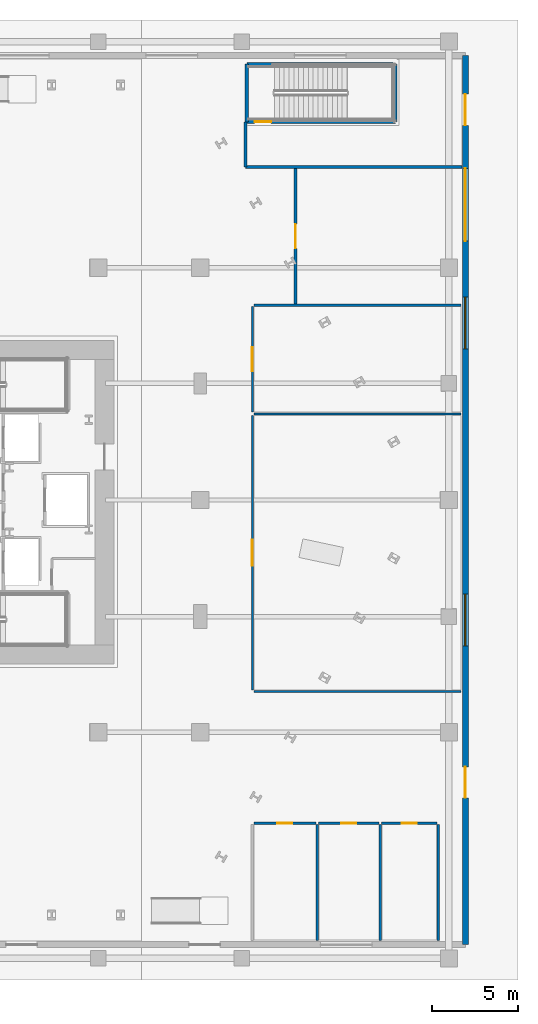
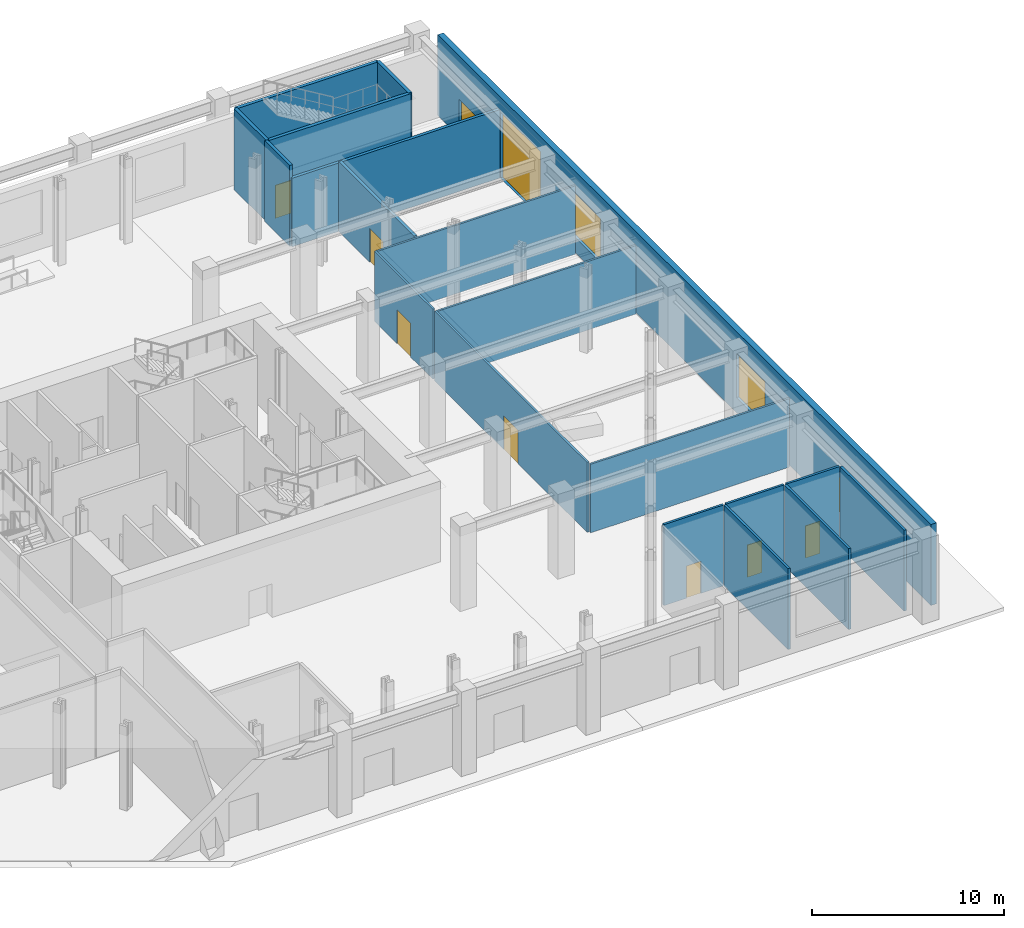
# One storey, part 7 of 18: 19 walls, 10 doors, 2 windows, 12 openings.
"""IFC4 building model written with IfcOpenShell, lengths in metres."""

import ifcopenshell
import ifcopenshell.guid

model = None  # the IFC model being written
_history = None  # IfcOwnerHistory: only IFC2X3 demands one
_inside = {}  # id of a spatial element -> (the spatial element, [elements in it])
_under = {}  # id of a project, library or spatial element -> (it, [spatial elements below it])
_declared = {}  # id of a project -> (the project, [libraries it declares])
_typed = {}  # id of a type object -> (the type object, [elements of that type])
_made_of = {}  # id of a material, layer set ... -> (it, [elements and type objects made of it])


def new_model(schema):
    """Start an empty IFC model of exactly this schema.

    Asked for "IFC4X3", IfcOpenShell would pick the latest addendum, in which some entities
    have other attributes; the version numbers below select the first issue.
    IFC2X3 requires an IfcOwnerHistory on every rooted entity: one is made here for all.
    """
    global model, _history
    if schema == "IFC4X3":
        model = ifcopenshell.file(schema_version=(4, 3, 0, 0))
    else:
        model = ifcopenshell.file(schema=schema)
    _inside.clear()
    _under.clear()
    _declared.clear()
    _typed.clear()
    _made_of.clear()
    _history = None
    if model.schema == "IFC2X3":
        org = make("IfcOrganization", Name="unknown")
        user = make(
            "IfcPersonAndOrganization",
            ThePerson=make("IfcPerson", FamilyName="unknown"),
            TheOrganization=org,
        )
        app = make(
            "IfcApplication",
            ApplicationDeveloper=org,
            Version="unknown",
            ApplicationFullName="unknown",
            ApplicationIdentifier="unknown",
        )
        _history = make(
            "IfcOwnerHistory",
            OwningUser=user,
            OwningApplication=app,
            ChangeAction="ADDED",
            CreationDate=0,
        )
    return model


def make(cls, **values):
    """One entity of the class cls with the attributes given. An attribute that is None is left unset."""
    return model.create_entity(
        cls, **{name: value for name, value in values.items() if value is not None}
    )


def rooted(cls, **values):
    """An entity with a GlobalId (a new one), such as an element, a storey or a relation."""
    return make(cls, GlobalId=ifcopenshell.guid.new(), OwnerHistory=_history, **values)


def si_unit(unit_type, name, prefix=None):
    """IfcSIUnit, for example si_unit("LENGTHUNIT", "METRE", prefix="MILLI")."""
    return make("IfcSIUnit", UnitType=unit_type, Prefix=prefix, Name=name)


def assignment(units):
    """IfcUnitAssignment: the units of a project."""
    return None if units is None else make("IfcUnitAssignment", Units=units)


def point(xyz):
    """IfcCartesianPoint."""
    return None if xyz is None else make("IfcCartesianPoint", Coordinates=xyz)


def direction(xyz):
    """IfcDirection."""
    return None if xyz is None else make("IfcDirection", DirectionRatios=xyz)


def frame(location, z_axis=None, x_axis=None):
    """IfcAxis2Placement3D, a coordinate frame: its origin and axes. An axis left out is left unset."""
    return make(
        "IfcAxis2Placement3D",
        Location=point(location),
        Axis=direction(z_axis),
        RefDirection=direction(x_axis),
    )


def frame_2d(location, x_axis=None):
    """IfcAxis2Placement2D, a coordinate frame in the plane: its origin and x axis."""
    return make(
        "IfcAxis2Placement2D", Location=point(location), RefDirection=direction(x_axis)
    )


def origin():
    """The frame at (0, 0, 0) with its axes left unset."""
    return frame((0.0, 0.0, 0.0))


def place(relative_to, where):
    """IfcLocalPlacement: puts the frame where relative to a parent placement (None: the world)."""
    return make(
        "IfcLocalPlacement", PlacementRelTo=relative_to, RelativePlacement=where
    )


def context(
    kind, dimensions, precision=None, world=None, true_north=None, identifier=None
):
    """IfcGeometricRepresentationContext, for example the 3D "Model" context."""
    return make(
        "IfcGeometricRepresentationContext",
        ContextIdentifier=identifier,
        ContextType=kind,
        CoordinateSpaceDimension=dimensions,
        Precision=precision,
        WorldCoordinateSystem=world,
        TrueNorth=true_north,
    )


def subcontext(parent, identifier, kind, view, scale=None):
    """IfcGeometricRepresentationSubContext, for example "Body" below "Model"."""
    return make(
        "IfcGeometricRepresentationSubContext",
        ContextIdentifier=identifier,
        ContextType=kind,
        ParentContext=parent,
        TargetScale=scale,
        TargetView=view,
    )


def project(units=None, contexts=None):
    """IfcProject with its units and contexts."""
    return rooted(
        "IfcProject",
        Name="project",
        RepresentationContexts=contexts,
        UnitsInContext=assignment(units),
    )


def spatial(cls, under=None, at=None, **own):
    """A site, building, storey or space (cls), placed at a placement, below another one or the project."""
    s = rooted(cls, ObjectPlacement=at, **own)
    if under is not None:
        _under.setdefault(under.id(), (under, []))[1].append(s)
    return s


def profile(cls, at=None, kind="AREA", **sizes):
    """A parametric profile (cls). Its sizes go by their IFC names, for example OverallWidth=200.0."""
    return make(cls, ProfileType=kind, Position=at, **sizes)


def rectangle(**sizes):
    """IfcRectangleProfileDef."""
    return profile("IfcRectangleProfileDef", **sizes)


def extrude(swept, where, along, depth):
    """IfcExtrudedAreaSolid: the profile swept, set in the frame where, extruded along a direction by depth."""
    return make(
        "IfcExtrudedAreaSolid",
        SweptArea=swept,
        Position=where,
        ExtrudedDirection=direction(along),
        Depth=depth,
    )


def shape(context_of_items, identifier, shape_type, items):
    """IfcShapeRepresentation: the items that make up one representation, for example the "Body"."""
    return make(
        "IfcShapeRepresentation",
        ContextOfItems=context_of_items,
        RepresentationIdentifier=identifier,
        RepresentationType=shape_type,
        Items=items,
    )


def material(Name=None, Category=None):
    """IfcMaterial."""
    return make("IfcMaterial", Name=Name, Category=Category)


def layer(
    of_material, thickness, ventilated=None, Name=None, Category=None, Priority=None
):
    """IfcMaterialLayer: one layer of a wall or slab, of a material (None: an air gap)."""
    return make(
        "IfcMaterialLayer",
        Material=of_material,
        LayerThickness=thickness,
        IsVentilated=ventilated,
        Name=Name,
        Category=Category,
        Priority=Priority,
    )


def layer_set(layers, Name=None):
    """IfcMaterialLayerSet."""
    return make("IfcMaterialLayerSet", MaterialLayers=layers, LayerSetName=Name)


def made_of(thing, what):
    """Note that an element or type object is made of a material, layer set ...; save() writes the relation."""
    if what is not None:
        _made_of.setdefault(what.id(), (what, []))[1].append(thing)
    return thing


def type_object(cls, material=None, **own):
    """A type object (cls), such as IfcWallType, which elements share."""
    return made_of(rooted(cls, **own), material)


def element(
    cls,
    number,
    at=None,
    inside=None,
    cuts=None,
    type_object=None,
    material=None,
    context=None,
    identifier="Body",
    shape_type=None,
    held_by="IfcProductDefinitionShape",
    body=None,
    shapes=None,
    **own,
):
    """One element of the class cls, such as IfcWall. Its Tag is "e" and its number.

    at: its placement. inside: the storey or other place that contains it. cuts: it is an
    opening in that element (IfcRelVoidsElement). A single representation is given by context,
    identifier, shape_type and body (its items); several are given by shapes. held_by: the class
    of the entity that holds the representations. save() writes the other relations.
    """
    e = rooted(cls, Tag="e%d" % number, ObjectPlacement=at, **own)
    if body is not None:
        shapes = [shape(context, identifier, shape_type, body)]
    if shapes is not None:
        e.Representation = make(held_by, Representations=shapes)
    if inside is not None:
        _inside.setdefault(inside.id(), (inside, []))[1].append(e)
    if cuts is not None:
        rooted(
            "IfcRelVoidsElement", RelatingBuildingElement=cuts, RelatedOpeningElement=e
        )
    if type_object is not None:
        _typed.setdefault(type_object.id(), (type_object, []))[1].append(e)
    return made_of(e, material)


def fill(opening, filler):
    """IfcRelFillsElement: the door or window that sits in an opening."""
    return rooted(
        "IfcRelFillsElement",
        RelatingOpeningElement=opening,
        RelatedBuildingElement=filler,
    )


def aggregate(whole, parts):
    """IfcRelAggregates: a whole, such as a stair, and the parts it consists of."""
    return rooted("IfcRelAggregates", RelatingObject=whole, RelatedObjects=parts)


def save(model, path):
    """Write the relations noted so far, then the file.

    IfcRelAggregates (storeys below a building ...), IfcRelContainedInSpatialStructure (elements
    in a storey), IfcRelDefinesByType, IfcRelAssociatesMaterial and IfcRelDeclares: one each for
    every whole, place, type object, material and project.
    """
    for whole, parts in _under.values():
        aggregate(whole, parts)
    for where, things in _inside.values():
        rooted(
            "IfcRelContainedInSpatialStructure",
            RelatedElements=things,
            RelatingStructure=where,
        )
    for kind, things in _typed.values():
        rooted("IfcRelDefinesByType", RelatedObjects=things, RelatingType=kind)
    for what, things in _made_of.values():
        rooted("IfcRelAssociatesMaterial", RelatedObjects=things, RelatingMaterial=what)
    for by, libraries in _declared.values():
        rooted("IfcRelDeclares", RelatingContext=by, RelatedDefinitions=libraries)
    model.write(path)


model = new_model("IFC4")

# Units and contexts
model_context = context("Model", 3, precision=1e-05, world=origin(), true_north=direction((0.0, 1.0)))
body_context = subcontext(model_context, "Body", "Model", "MODEL_VIEW")
ifc_project = project(units=[si_unit("LENGTHUNIT", "METRE"), si_unit("AREAUNIT", "SQUARE_METRE"), si_unit("VOLUMEUNIT", "CUBIC_METRE"), si_unit("PLANEANGLEUNIT", "RADIAN"), si_unit("MASSUNIT", "GRAM", prefix="KILO")], contexts=[model_context])

# Site, building, storey
site_placement = place(None, origin())
site = spatial("IfcSite", under=ifc_project, at=site_placement, CompositionType="ELEMENT")
building_placement = place(site_placement, origin())
building = spatial("IfcBuilding", under=site, at=building_placement, Name="Valkerne Bourse Tower", CompositionType="ELEMENT")
storey_placement = place(building_placement, origin())
storey = spatial("IfcBuildingStorey", under=building, at=storey_placement, Name="L00", CompositionType="ELEMENT", Elevation=0.0)

# Walls
ifc_material_1 = material(Name="Gypsum Board Steel-Stud Partition", Category="steel")
ifc_layer_1 = layer(ifc_material_1, 0.117919921875)
ifc_layer_set_1 = layer_set([ifc_layer_1], Name="Gypsum Board Steel-Stud Partition")
wall_type_1 = type_object("IfcWallType", Name="W-CORR-140", PredefinedType="PARTITIONING", material=ifc_layer_set_1)
for number, where, z_axis, x_axis, name in (
    (1, (64.5, 15.919921875, 0.0), (0.0, 0.0, 1.0), (1.0, 0.0, 0.0), "L00 Clearing Bank Retail Office Branch Wall"),
    (2, (64.5, 31.97998046875, 0.0), (0.0, 0.0, 1.0), (1.0, 0.0, 0.0), "L00 Clearing Bank Retail Office Branch Wall"),
):
    element("IfcWall", number, at=place(storey_placement, frame(where, z_axis=z_axis, x_axis=x_axis)), inside=storey, type_object=wall_type_1, Name=name, PredefinedType="PARTITIONING", context=body_context, shape_type="SweptSolid", body=[
        extrude(rectangle(XDim=12.0, YDim=0.117919921875, at=frame_2d((6.0, 0.0))), origin(), (0.0, 0.0, 1.0), 4.364990234375),
    ])

# Wall, opening, door
wall_1_placement = place(storey_placement, frame((64.419921875, 16.0, 0.0), z_axis=(0.0, 0.0, 1.0), x_axis=(0.0, 1.0, 0.0)))
wall_1 = element("IfcWall", 3, at=wall_1_placement, inside=storey, type_object=wall_type_1, Name="L00 Clearing Bank Retail Office Branch Wall", PredefinedType="PARTITIONING", context=body_context, shape_type="SweptSolid", body=[
    extrude(rectangle(XDim=15.89990234375, YDim=0.117919921875, at=frame_2d((7.949951171875, 0.0))), origin(), (0.0, 0.0, 1.0), 4.45654296875),
])
opening_1_placement = place(wall_1_placement, frame((7.199951171875, 0.0, 0.0)))
opening_1 = element("IfcOpeningElement", 4, at=opening_1_placement, cuts=wall_1, Name="Opening D-CR-1500", PredefinedType="OPENING", context=body_context, shape_type="SweptSolid", body=[
    extrude(rectangle(XDim=1.5, YDim=2.14990234375, at=frame_2d((0.75, 1.074951171875))), frame((0.0, 0.06884765625, 0.0), z_axis=(0.0, -1.0, 0.0), x_axis=(1.0, 0.0, 0.0)), (0.0, 0.0, 1.0), 0.137939453125),
])
ifc_material_2 = material(Name="Galvanised Painted Steel", Category="steel")
door_type_1 = type_object("IfcDoorType", Name="DR-CORR-1500", OperationType="DOUBLE_DOOR_SINGLE_SWING", PredefinedType="DOOR", material=ifc_material_2)
door_1_placement = place(opening_1_placement, origin())
door_1 = element("IfcDoor", 5, at=door_1_placement, inside=storey, type_object=door_type_1, Name="L00 Clearing Bank Branch Door", OperationType="DOUBLE_DOOR_SINGLE_SWING", OverallHeight=2.14990234375, OverallWidth=1.5, PredefinedType="DOOR", context=body_context, shape_type="SweptSolid", body=[
    extrude(rectangle(XDim=1.5, YDim=2.14990234375, at=frame_2d((0.75, 1.074951171875))), frame((0.0, 0.02490234375, 0.0), z_axis=(0.0, -1.0, 0.0), x_axis=(1.0, 0.0, 0.0)), (0.0, 0.0, 1.0), 0.050048828125),
])
fill(opening_1, door_1)

# Wall
wall_2_placement = place(storey_placement, frame((64.5, 38.280029296875, 0.0), z_axis=(0.0, 0.0, 1.0), x_axis=(1.0, 0.0, 0.0)))
element("IfcWall", 6, at=wall_2_placement, inside=storey, type_object=wall_type_1, Name="L00 Refuse & Compactor Store Room Wall", PredefinedType="PARTITIONING", context=body_context, shape_type="SweptSolid", body=[
    extrude(rectangle(XDim=12.0, YDim=0.117919921875, at=frame_2d((6.0, 0.0))), origin(), (0.0, 0.0, 1.0), 4.364990234375),
])

# Wall, opening, door
wall_3_placement = place(storey_placement, frame((64.419921875, 32.10009765625, 0.0), z_axis=(0.0, 0.0, 1.0), x_axis=(0.0, 1.0, 0.0)))
wall_3 = element("IfcWall", 7, at=wall_3_placement, inside=storey, type_object=wall_type_1, Name="L00 Refuse & Compactor Store Room Wall", PredefinedType="PARTITIONING", context=body_context, shape_type="SweptSolid", body=[
    extrude(rectangle(XDim=6.099853515625, YDim=0.117919921875, at=frame_2d((3.0498046875, 0.0))), origin(), (0.0, 0.0, 1.0), 4.45654296875),
])
opening_2_placement = place(wall_3_placement, frame((2.35009765625, 0.0, 0.0)))
opening_2 = element("IfcOpeningElement", 8, at=opening_2_placement, cuts=wall_3, Name="Opening D-PL-1400", PredefinedType="OPENING", context=body_context, shape_type="SweptSolid", body=[
    extrude(rectangle(XDim=1.39990234375, YDim=2.14990234375, at=frame_2d((0.699951171875, 1.074951171875))), frame((0.0, 0.06884765625, 0.0), z_axis=(0.0, -1.0, 0.0), x_axis=(1.0, 0.0, 0.0)), (0.0, 0.0, 1.0), 0.137939453125),
])
door_type_2 = type_object("IfcDoorType", Name="DR-PLT-1400", OperationType="DOUBLE_DOOR_SINGLE_SWING", PredefinedType="DOOR", material=ifc_material_2)
door_2_placement = place(opening_2_placement, origin())
door_2 = element("IfcDoor", 9, at=door_2_placement, inside=storey, type_object=door_type_2, Name="L00 Refuse Room Door", OperationType="DOUBLE_DOOR_SINGLE_SWING", OverallHeight=2.14990234375, OverallWidth=1.39990234375, PredefinedType="DOOR", context=body_context, shape_type="SweptSolid", body=[
    extrude(rectangle(XDim=1.39990234375, YDim=2.14990234375, at=frame_2d((0.699951171875, 1.074951171875))), frame((0.0, 0.02490234375, 0.0), z_axis=(0.0, -1.0, 0.0), x_axis=(1.0, 0.0, 0.0)), (0.0, 0.0, 1.0), 0.050048828125),
])
fill(opening_2, door_2)

# Wall, openings, doors, windows
ifc_material_3 = material(Name="Indiana Limestone Cladding", Category="masonry")
ifc_layer_2 = layer(ifc_material_3, 0.35009765625)
ifc_layer_set_2 = layer_set([ifc_layer_2], Name="Indiana Limestone Cladding")
wall_type_2 = type_object("IfcWallType", Name="W-EXT-LIMESTONE-350", PredefinedType="STANDARD", material=ifc_layer_set_2)
wall_4_placement = place(storey_placement, frame((76.75, 52.75, 0.0), z_axis=(0.0, 0.0, 1.0), x_axis=(0.0, -1.0, 0.0)))
wall_4 = element("IfcWall", 10, at=wall_4_placement, inside=storey, type_object=wall_type_2, Name="L00 Podium Exterior Wall EAST", PredefinedType="STANDARD", context=body_context, shape_type="SweptSolid", body=[
    extrude(rectangle(XDim=51.5, YDim=0.35009765625, at=frame_2d((25.75, 0.0))), origin(), (0.0, 0.0, 1.0), 5.159912109375),
])
opening_3_placement = place(wall_4_placement, frame((6.550048828125, 0.0, 0.0)))
opening_3 = element("IfcOpeningElement", 11, at=opening_3_placement, cuts=wall_4, Name="Opening VG-4200", PredefinedType="OPENING", context=body_context, shape_type="SweptSolid", body=[
    extrude(rectangle(XDim=4.199951171875, YDim=4.199951171875, at=frame_2d((2.10009765625, 2.10009765625))), frame((0.0, 0.18505859375, 0.0), z_axis=(0.0, -1.0, 0.0), x_axis=(1.0, 0.0, 0.0)), (0.0, 0.0, 1.0), 0.3701171875),
])
opening_4_placement = place(wall_4_placement, frame((41.199951171875, 0.0, 0.0)))
opening_4 = element("IfcOpeningElement", 12, at=opening_4_placement, cuts=wall_4, Name="Opening EX-1800", PredefinedType="OPENING", context=body_context, shape_type="SweptSolid", body=[
    extrude(rectangle(XDim=1.800048828125, YDim=2.39990234375, at=frame_2d((0.89990234375, 1.199951171875))), frame((0.0, 0.18505859375, 0.0), z_axis=(0.0, -1.0, 0.0), x_axis=(1.0, 0.0, 0.0)), (0.0, 0.0, 1.0), 0.3701171875),
])
opening_5_placement = place(wall_4_placement, frame((2.25, 0.0, 0.0)))
opening_5 = element("IfcOpeningElement", 13, at=opening_5_placement, cuts=wall_4, Name="Opening EX-1800", PredefinedType="OPENING", context=body_context, shape_type="SweptSolid", body=[
    extrude(rectangle(XDim=1.800048828125, YDim=2.39990234375, at=frame_2d((0.89990234375, 1.199951171875))), frame((0.0, 0.18505859375, 0.0), z_axis=(0.0, -1.0, 0.0), x_axis=(1.0, 0.0, 0.0)), (0.0, 0.0, 1.0), 0.3701171875),
])
opening_6_placement = place(wall_4_placement, frame((14.0, 0.0, 0.949951171875)))
opening_6 = element("IfcOpeningElement", 14, at=opening_6_placement, cuts=wall_4, Name="Opening WN-01", PredefinedType="OPENING", context=body_context, shape_type="SweptSolid", body=[
    extrude(rectangle(XDim=3.0, YDim=2.800048828125, at=frame_2d((1.5, 1.39990234375))), frame((0.0, 0.18505859375, 0.0), z_axis=(0.0, -1.0, 0.0), x_axis=(1.0, 0.0, 0.0)), (0.0, 0.0, 1.0), 0.3701171875),
])
opening_7_placement = place(wall_4_placement, frame((31.199951171875, 0.0, 0.949951171875)))
opening_7 = element("IfcOpeningElement", 15, at=opening_7_placement, cuts=wall_4, Name="Opening WN-01", PredefinedType="OPENING", context=body_context, shape_type="SweptSolid", body=[
    extrude(rectangle(XDim=3.0, YDim=2.800048828125, at=frame_2d((1.5, 1.39990234375))), frame((0.0, 0.18505859375, 0.0), z_axis=(0.0, -1.0, 0.0), x_axis=(1.0, 0.0, 0.0)), (0.0, 0.0, 1.0), 0.3701171875),
])
ifc_material_4 = material(Name="Bronze Anodised Aluminium AA 6063-T6", Category="aluminium")
door_type_3 = type_object("IfcDoorType", Name="DR-EXT-EXIT-1800", OperationType="DOUBLE_SWING_LEFT", PredefinedType="DOOR", material=ifc_material_4)
door_3_placement = place(opening_4_placement, origin())
door_3 = element("IfcDoor", 16, at=door_3_placement, inside=storey, type_object=door_type_3, Name="East Clearing Concourse Street Exit Door EX-07", OperationType="DOUBLE_SWING_LEFT", OverallHeight=2.39990234375, OverallWidth=1.800048828125, PredefinedType="DOOR", context=body_context, shape_type="SweptSolid", body=[
    extrude(rectangle(XDim=1.800048828125, YDim=2.39990234375, at=frame_2d((0.89990234375, 1.199951171875))), frame((0.0, 0.02490234375, 0.0), z_axis=(0.0, -1.0, 0.0), x_axis=(1.0, 0.0, 0.0)), (0.0, 0.0, 1.0), 0.050048828125),
])
fill(opening_4, door_3)
door_4_placement = place(opening_5_placement, origin())
door_4 = element("IfcDoor", 17, at=door_4_placement, inside=storey, type_object=door_type_3, Name="ST-P2 Protected Exit Discharge Street Door EX-08", OperationType="DOUBLE_SWING_LEFT", OverallHeight=2.39990234375, OverallWidth=1.800048828125, PredefinedType="DOOR", context=body_context, shape_type="SweptSolid", body=[
    extrude(rectangle(XDim=1.800048828125, YDim=2.39990234375, at=frame_2d((0.89990234375, 1.199951171875))), frame((0.0, 0.02490234375, 0.0), z_axis=(0.0, -1.0, 0.0), x_axis=(1.0, 0.0, 0.0)), (0.0, 0.0, 1.0), 0.050048828125),
])
fill(opening_5, door_4)
door_type_4 = type_object("IfcDoorType", Name="DR-VEH-DOCK-4200", OperationType="ROLLINGUP", PredefinedType="GATE", material=ifc_material_2)
door_5_placement = place(opening_3_placement, origin())
door_5 = element("IfcDoor", 18, at=door_5_placement, inside=storey, type_object=door_type_4, Name="Loading Dock Truck Shutter Gate VG-DOCK-01", OperationType="ROLLINGUP", OverallHeight=4.199951171875, OverallWidth=4.199951171875, PredefinedType="GATE", context=body_context, shape_type="SweptSolid", body=[
    extrude(rectangle(XDim=4.199951171875, YDim=4.199951171875, at=frame_2d((2.10009765625, 2.10009765625))), frame((0.0, 0.02490234375, 0.0), z_axis=(0.0, -1.0, 0.0), x_axis=(1.0, 0.0, 0.0)), (0.0, 0.0, 1.0), 0.050048828125),
])
fill(opening_3, door_5)
ifc_material_5 = material(Name="Glass IGU Low-E Double Glazed", Category="glass")
window_type = type_object("IfcWindowType", Name="WIN-POD-3000X2800", PartitioningType="SINGLE_PANEL", PredefinedType="WINDOW", material=ifc_material_5)
window_1_placement = place(opening_6_placement, origin())
window_1 = element("IfcWindow", 19, at=window_1_placement, inside=storey, type_object=window_type, Name="L00 Podium Low-E Window 09", OverallHeight=2.800048828125, OverallWidth=3.0, PartitioningType="SINGLE_PANEL", PredefinedType="WINDOW", context=body_context, shape_type="SweptSolid", body=[
    extrude(rectangle(XDim=3.0, YDim=2.800048828125, at=frame_2d((1.5, 1.39990234375))), frame((0.0, 0.030029296875, 0.0), z_axis=(0.0, -1.0, 0.0), x_axis=(1.0, 0.0, 0.0)), (0.0, 0.0, 1.0), 0.06005859375),
])
fill(opening_6, window_1)
window_2_placement = place(opening_7_placement, origin())
window_2 = element("IfcWindow", 20, at=window_2_placement, inside=storey, type_object=window_type, Name="L00 Podium Low-E Window 10", OverallHeight=2.800048828125, OverallWidth=3.0, PartitioningType="SINGLE_PANEL", PredefinedType="WINDOW", context=body_context, shape_type="SweptSolid", body=[
    extrude(rectangle(XDim=3.0, YDim=2.800048828125, at=frame_2d((1.5, 1.39990234375))), frame((0.0, 0.030029296875, 0.0), z_axis=(0.0, -1.0, 0.0), x_axis=(1.0, 0.0, 0.0)), (0.0, 0.0, 1.0), 0.06005859375),
])
fill(opening_7, window_2)

# Walls
ifc_material_6 = material(Name="Gypsum Fire-Rated Shaftwall", Category="gypsum")
ifc_layer_3 = layer(ifc_material_6, 0.179931640625)
ifc_layer_set_3 = layer_set([ifc_layer_3], Name="Gypsum Fire-Rated Shaftwall")
wall_type_3 = type_object("IfcWallType", Name="W-FSAE-180", PredefinedType="PARTITIONING", material=ifc_layer_set_3)
wall_5_placement = place(storey_placement, frame((64.02001953125, 46.2900390625, 0.0), z_axis=(0.0, 0.0, 1.0), x_axis=(1.0, 0.0, 0.0)))
element("IfcWall", 21, at=wall_5_placement, inside=storey, type_object=wall_type_3, Name="L00 ST-P2 Exit Passageway South Fire Wall", PredefinedType="PARTITIONING", context=body_context, shape_type="SweptSolid", body=[
    extrude(rectangle(XDim=12.530029296875, YDim=0.179931640625, at=frame_2d((6.26513671875, 0.0))), origin(), (0.0, 0.0, 1.0), 4.364990234375),
])
wall_6_placement = place(storey_placement, frame((64.02001953125, 46.2900390625, 0.0), z_axis=(0.0, 0.0, 1.0), x_axis=(0.0, 1.0, 0.0)))
element("IfcWall", 22, at=wall_6_placement, inside=storey, type_object=wall_type_3, Name="L00 ST-P2 Exit Passageway West Fire Wall", PredefinedType="PARTITIONING", context=body_context, shape_type="SweptSolid", body=[
    extrude(rectangle(XDim=2.60986328125, YDim=0.179931640625, at=frame_2d((1.304931640625, 0.0))), origin(), (0.0, 0.0, 1.0), 5.159912109375),
])

# Wall, opening, door
wall_7_placement = place(storey_placement, frame((66.919921875, 38.360107421875, 0.0), z_axis=(0.0, 0.0, 1.0), x_axis=(0.0, 1.0, 0.0)))
wall_7 = element("IfcWall", 23, at=wall_7_placement, inside=storey, type_object=wall_type_3, Name="L00 Enclosed Truck Loading & Servicing Dock Wall", PredefinedType="PARTITIONING", context=body_context, shape_type="SweptSolid", body=[
    extrude(rectangle(XDim=7.83984375, YDim=0.179931640625, at=frame_2d((3.919921875, 0.0))), origin(), (0.0, 0.0, 1.0), 4.45654296875),
])
opening_8_placement = place(wall_7_placement, frame((3.219970703125, 0.0, 0.0)))
opening_8 = element("IfcOpeningElement", 24, at=opening_8_placement, cuts=wall_7, Name="Opening D-PL-1400", PredefinedType="OPENING", context=body_context, shape_type="SweptSolid", body=[
    extrude(rectangle(XDim=1.39990234375, YDim=2.14990234375, at=frame_2d((0.699951171875, 1.074951171875))), frame((0.0, 0.099853515625, 0.0), z_axis=(0.0, -1.0, 0.0), x_axis=(1.0, 0.0, 0.0)), (0.0, 0.0, 1.0), 0.199951171875),
])
door_6_placement = place(opening_8_placement, origin())
door_6 = element("IfcDoor", 25, at=door_6_placement, inside=storey, type_object=door_type_2, Name="L00 Loading Dock Vestibule Door", OperationType="DOUBLE_DOOR_SINGLE_SWING", OverallHeight=2.14990234375, OverallWidth=1.39990234375, PredefinedType="DOOR", context=body_context, shape_type="SweptSolid", body=[
    extrude(rectangle(XDim=1.39990234375, YDim=2.14990234375, at=frame_2d((0.699951171875, 1.074951171875))), frame((0.0, 0.02490234375, 0.0), z_axis=(0.0, -1.0, 0.0), x_axis=(1.0, 0.0, 0.0)), (0.0, 0.0, 1.0), 0.050048828125),
])
fill(opening_8, door_6)

ifc_material_7 = material(Name="Concrete C40/50", Category="concrete")
ifc_layer_4 = layer(ifc_material_7, 0.199951171875)
ifc_layer_set_4 = layer_set([ifc_layer_4], Name="Concrete C40/50")
wall_type_4 = type_object("IfcWallType", Name="W-SHF-200", PredefinedType="SHEAR", material=ifc_layer_set_4)
wall_8_placement = place(storey_placement, frame((64.10009765625, 48.89990234375, 0.0), z_axis=(0.0, 0.0, 1.0), x_axis=(1.0, 0.0, 0.0)))
wall_8 = element("IfcWall", 26, at=wall_8_placement, inside=storey, type_object=wall_type_4, Name="L00 Exit Stair ST-P2 Structural South Wall", PredefinedType="SHEAR", context=body_context, shape_type="SweptSolid", body=[
    extrude(rectangle(XDim=8.599853515625, YDim=0.199951171875, at=frame_2d((4.2998046875, 0.0))), origin(), (0.0, 0.0, 1.0), 5.159912109375),
])
opening_9_placement = place(wall_8_placement, frame((0.449951171875, 0.0, 0.0)))
opening_9 = element("IfcOpeningElement", 27, at=opening_9_placement, cuts=wall_8, Name="Opening D-ST-950", PredefinedType="OPENING", context=body_context, shape_type="SweptSolid", body=[
    extrude(rectangle(XDim=0.949951171875, YDim=2.10009765625, at=frame_2d((0.47509765625, 1.050048828125))), frame((0.0, 0.10986328125, 0.0), z_axis=(0.0, -1.0, 0.0), x_axis=(1.0, 0.0, 0.0)), (0.0, 0.0, 1.0), 0.219970703125),
])
door_type_5 = type_object("IfcDoorType", Name="DR-STAIR-950", OperationType="NOTDEFINED", PredefinedType="DOOR", material=ifc_material_2)
door_7_placement = place(opening_9_placement, origin())
door_7 = element("IfcDoor", 28, at=door_7_placement, inside=storey, type_object=door_type_5, Name="L00 Exit Stair ST-P2 Door", OperationType="SINGLE_SWING_LEFT", OverallHeight=2.10009765625, OverallWidth=0.949951171875, PredefinedType="DOOR", context=body_context, shape_type="SweptSolid", body=[
    extrude(rectangle(XDim=0.949951171875, YDim=2.10009765625, at=frame_2d((0.47509765625, 1.050048828125))), frame((0.0, 0.02490234375, 0.0), z_axis=(0.0, -1.0, 0.0), x_axis=(1.0, 0.0, 0.0)), (0.0, 0.0, 1.0), 0.050048828125),
])
fill(opening_9, door_7)

# Walls
wall_9_placement = place(storey_placement, frame((64.10009765625, 52.25, 0.0), z_axis=(0.0, 0.0, 1.0), x_axis=(1.0, 0.0, 0.0)))
element("IfcWall", 29, at=wall_9_placement, inside=storey, type_object=wall_type_4, Name="L00 Exit Stair ST-P2 Structural North Wall", PredefinedType="SHEAR", context=body_context, shape_type="SweptSolid", body=[
    extrude(rectangle(XDim=8.599853515625, YDim=0.199951171875, at=frame_2d((4.2998046875, 0.0))), origin(), (0.0, 0.0, 1.0), 5.159912109375),
])
for number, where, z_axis, x_axis, name in (
    (30, (64.10009765625, 48.89990234375, 0.0), (0.0, 0.0, 1.0), (0.0, 1.0, 0.0), "L00 Exit Stair ST-P2 Structural West Wall"),
    (31, (72.699951171875, 48.89990234375, 0.0), (0.0, 0.0, 1.0), (0.0, 1.0, 0.0), "L00 Exit Stair ST-P2 Structural East Wall"),
):
    element("IfcWall", number, at=place(storey_placement, frame(where, z_axis=z_axis, x_axis=x_axis)), inside=storey, type_object=wall_type_4, Name=name, PredefinedType="SHEAR", context=body_context, shape_type="SweptSolid", body=[
        extrude(rectangle(XDim=3.35009765625, YDim=0.199951171875, at=frame_2d((1.675048828125, 0.0))), origin(), (0.0, 0.0, 1.0), 5.159912109375),
    ])
ifc_material_8 = material(Name="Moisture-Resistant Gypsum Partition", Category="gypsum")
ifc_layer_5 = layer(ifc_material_8, 0.139892578125)
ifc_layer_set_5 = layer_set([ifc_layer_5], Name="Moisture-Resistant Gypsum Partition")
wall_type_5 = type_object("IfcWallType", Name="W-WET-140", PredefinedType="PARTITIONING", material=ifc_layer_set_5)
wall_10_placement = place(storey_placement, frame((68.179931640625, 1.5, 0.0), z_axis=(0.0, 0.0, 1.0), x_axis=(0.0, 1.0, 0.0)))
element("IfcWall", 32, at=wall_10_placement, inside=storey, type_object=wall_type_5, Name="L00 Ground Public Men Bathroom WC Wall", PredefinedType="PARTITIONING", context=body_context, shape_type="SweptSolid", body=[
    extrude(rectangle(XDim=6.699951171875, YDim=0.139892578125, at=frame_2d((3.35009765625, 0.0))), origin(), (0.0, 0.0, 1.0), 5.159912109375),
])

# Wall, opening, door
wall_11_placement = place(storey_placement, frame((64.5, 8.280029296875, 0.0), z_axis=(0.0, 0.0, 1.0), x_axis=(1.0, 0.0, 0.0)))
wall_11 = element("IfcWall", 33, at=wall_11_placement, inside=storey, type_object=wall_type_5, Name="L00 Ground Public Men Bathroom WC Wall", PredefinedType="PARTITIONING", context=body_context, shape_type="SweptSolid", body=[
    extrude(rectangle(XDim=3.60009765625, YDim=0.139892578125, at=frame_2d((1.800048828125, 0.0))), origin(), (0.0, 0.0, 1.0), 5.159912109375),
])
opening_10_placement = place(wall_11_placement, frame((1.3701171875, 0.0, 0.0)))
opening_10 = element("IfcOpeningElement", 34, at=opening_10_placement, cuts=wall_11, Name="Opening D-WC-900", PredefinedType="OPENING", context=body_context, shape_type="SweptSolid", body=[
    extrude(rectangle(XDim=0.860107421875, YDim=2.050048828125, at=frame_2d((0.43017578125, 1.02490234375))), frame((0.0, 0.079833984375, 0.0), z_axis=(0.0, -1.0, 0.0), x_axis=(1.0, 0.0, 0.0)), (0.0, 0.0, 1.0), 0.159912109375),
])
ifc_material_9 = material(Name="Architectural White Oak Timber", Category="wood")
door_type_6 = type_object("IfcDoorType", Name="DR-WC-900", OperationType="NOTDEFINED", PredefinedType="DOOR", material=ifc_material_9)
door_8_placement = place(opening_10_placement, origin())
door_8 = element("IfcDoor", 35, at=door_8_placement, inside=storey, type_object=door_type_6, Name="L00 Ground Men WC Door", OperationType="SINGLE_SWING_RIGHT", OverallHeight=2.050048828125, OverallWidth=0.860107421875, PredefinedType="DOOR", context=body_context, shape_type="SweptSolid", body=[
    extrude(rectangle(XDim=0.860107421875, YDim=2.050048828125, at=frame_2d((0.43017578125, 1.02490234375))), frame((0.0, 0.02490234375, 0.0), z_axis=(0.0, -1.0, 0.0), x_axis=(1.0, 0.0, 0.0)), (0.0, 0.0, 1.0), 0.050048828125),
])
fill(opening_10, door_8)

# Wall
wall_12_placement = place(storey_placement, frame((71.830078125, 1.5, 0.0), z_axis=(0.0, 0.0, 1.0), x_axis=(0.0, 1.0, 0.0)))
element("IfcWall", 36, at=wall_12_placement, inside=storey, type_object=wall_type_5, Name="L00 Ground Public Women Bathroom WC Wall", PredefinedType="PARTITIONING", context=body_context, shape_type="SweptSolid", body=[
    extrude(rectangle(XDim=6.699951171875, YDim=0.139892578125, at=frame_2d((3.35009765625, 0.0))), origin(), (0.0, 0.0, 1.0), 5.159912109375),
])

# Wall, opening, door
wall_13_placement = place(storey_placement, frame((68.260009765625, 8.280029296875, 0.0), z_axis=(0.0, 0.0, 1.0), x_axis=(1.0, 0.0, 0.0)))
wall_13 = element("IfcWall", 37, at=wall_13_placement, inside=storey, type_object=wall_type_5, Name="L00 Ground Public Women Bathroom WC Wall", PredefinedType="PARTITIONING", context=body_context, shape_type="SweptSolid", body=[
    extrude(rectangle(XDim=3.489990234375, YDim=0.139892578125, at=frame_2d((1.7451171875, 0.0))), origin(), (0.0, 0.0, 1.0), 5.159912109375),
])
opening_11_placement = place(wall_13_placement, frame((1.31494140625, 0.0, 0.0)))
opening_11 = element("IfcOpeningElement", 38, at=opening_11_placement, cuts=wall_13, Name="Opening D-WC-900", PredefinedType="OPENING", context=body_context, shape_type="SweptSolid", body=[
    extrude(rectangle(XDim=0.860107421875, YDim=2.050048828125, at=frame_2d((0.43017578125, 1.02490234375))), frame((0.0, 0.079833984375, 0.0), z_axis=(0.0, -1.0, 0.0), x_axis=(1.0, 0.0, 0.0)), (0.0, 0.0, 1.0), 0.159912109375),
])
door_9_placement = place(opening_11_placement, origin())
door_9 = element("IfcDoor", 39, at=door_9_placement, inside=storey, type_object=door_type_6, Name="L00 Ground Women WC Door", OperationType="SINGLE_SWING_RIGHT", OverallHeight=2.050048828125, OverallWidth=0.860107421875, PredefinedType="DOOR", context=body_context, shape_type="SweptSolid", body=[
    extrude(rectangle(XDim=0.860107421875, YDim=2.050048828125, at=frame_2d((0.43017578125, 1.02490234375))), frame((0.0, 0.02490234375, 0.0), z_axis=(0.0, -1.0, 0.0), x_axis=(1.0, 0.0, 0.0)), (0.0, 0.0, 1.0), 0.050048828125),
])
fill(opening_11, door_9)

# Wall
wall_14_placement = place(storey_placement, frame((75.179931640625, 1.5, 0.0), z_axis=(0.0, 0.0, 1.0), x_axis=(0.0, 1.0, 0.0)))
element("IfcWall", 40, at=wall_14_placement, inside=storey, type_object=wall_type_5, Name="L00 Ground Accessible Bathroom WC Wall", PredefinedType="PARTITIONING", context=body_context, shape_type="SweptSolid", body=[
    extrude(rectangle(XDim=6.699951171875, YDim=0.139892578125, at=frame_2d((3.35009765625, 0.0))), origin(), (0.0, 0.0, 1.0), 5.159912109375),
])

# Wall, opening, door
wall_15_placement = place(storey_placement, frame((71.909912109375, 8.280029296875, 0.0), z_axis=(0.0, 0.0, 1.0), x_axis=(1.0, 0.0, 0.0)))
wall_15 = element("IfcWall", 41, at=wall_15_placement, inside=storey, type_object=wall_type_5, Name="L00 Ground Accessible Bathroom WC Wall", PredefinedType="PARTITIONING", context=body_context, shape_type="SweptSolid", body=[
    extrude(rectangle(XDim=3.190185546875, YDim=0.139892578125, at=frame_2d((1.59521484375, 0.0))), origin(), (0.0, 0.0, 1.0), 5.159912109375),
])
opening_12_placement = place(wall_15_placement, frame((1.1650390625, 0.0, 0.0)))
opening_12 = element("IfcOpeningElement", 42, at=opening_12_placement, cuts=wall_15, Name="Opening D-WC-900", PredefinedType="OPENING", context=body_context, shape_type="SweptSolid", body=[
    extrude(rectangle(XDim=0.860107421875, YDim=2.050048828125, at=frame_2d((0.43017578125, 1.02490234375))), frame((0.0, 0.079833984375, 0.0), z_axis=(0.0, -1.0, 0.0), x_axis=(1.0, 0.0, 0.0)), (0.0, 0.0, 1.0), 0.159912109375),
])
door_10_placement = place(opening_12_placement, origin())
door_10 = element("IfcDoor", 43, at=door_10_placement, inside=storey, type_object=door_type_6, Name="L00 Ground Accessible WC Door", OperationType="SINGLE_SWING_RIGHT", OverallHeight=2.050048828125, OverallWidth=0.860107421875, PredefinedType="DOOR", context=body_context, shape_type="SweptSolid", body=[
    extrude(rectangle(XDim=0.860107421875, YDim=2.050048828125, at=frame_2d((0.43017578125, 1.02490234375))), frame((0.0, 0.02490234375, 0.0), z_axis=(0.0, -1.0, 0.0), x_axis=(1.0, 0.0, 0.0)), (0.0, 0.0, 1.0), 0.050048828125),
])
fill(opening_12, door_10)

save(model, "model.ifc")
